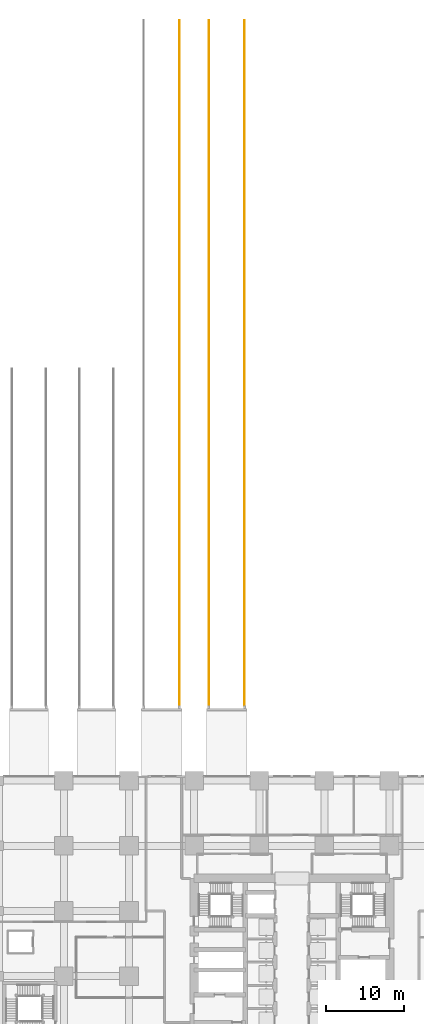
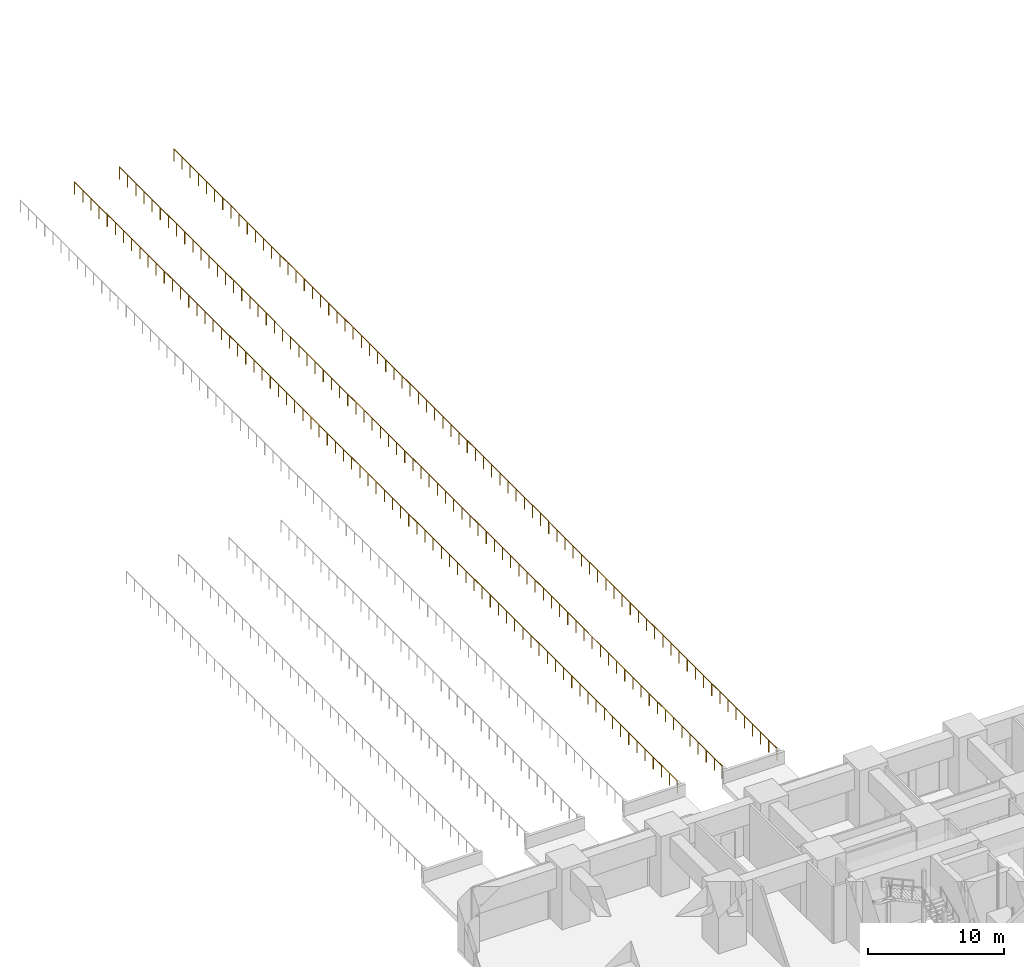
# One storey, part 56 of 81: 3 railings.
"""IFC4 building model written with IfcOpenShell, lengths in metres."""

from ifc_helpers import new_model, si_unit, direction, frame, origin, origin_2d, place, context, subcontext, project, spatial, circle, extrude, material, type_object, element, save


model = new_model("IFC4")

# Units and contexts
model_context = context("Model", 3, precision=1e-05, world=origin(), true_north=direction((0.0, 1.0)))
body_context = subcontext(model_context, "Body", "Model", "MODEL_VIEW")
ifc_project = project(units=[si_unit("LENGTHUNIT", "METRE"), si_unit("AREAUNIT", "SQUARE_METRE"), si_unit("VOLUMEUNIT", "CUBIC_METRE"), si_unit("PLANEANGLEUNIT", "RADIAN"), si_unit("MASSUNIT", "GRAM", prefix="KILO")], contexts=[model_context])

# Site, building, storey
site_placement = place(None, origin())
site = spatial("IfcSite", under=ifc_project, at=site_placement, CompositionType="ELEMENT")
building_placement = place(site_placement, origin())
building = spatial("IfcBuilding", under=site, at=building_placement, Name="Rekha Terrace Tower", CompositionType="ELEMENT")
storey_placement = place(building_placement, origin())
storey = spatial("IfcBuildingStorey", under=building, at=storey_placement, Name="L00", CompositionType="ELEMENT", Elevation=0.0)

# Railings
ifc_material = material(Name="Galvanised steel", Category="steel")
railing_type = type_object("IfcRailingType", Name="GR3 1100 vehicle ramp guard", PredefinedType="GUARDRAIL", material=ifc_material)
railing_1_placement = place(storey_placement, frame((23.300048828125, 68.5, 0.0)))
element("IfcRailing", 1, at=railing_1_placement, inside=storey, type_object=railing_type, Name="Ramp 3 guard E", PredefinedType="GUARDRAIL", context=body_context, shape_type="SweptSolid", body=[
    extrude(circle(Radius=0.02392578125, at=origin_2d()), frame((0.0, 0.0, 1.076171875), z_axis=(0.0, 1.0, 0.0), x_axis=(-1.0, 0.0, 0.0)), (0.0, 0.0, 1.0), 88.39990234375),
    extrude(circle(Radius=0.02099609375, at=origin_2d()), origin(), (0.0, 0.0, 1.0), 1.052001953125),
    extrude(circle(Radius=0.02099609375, at=origin_2d()), frame((0.0, 1.194580078125, 0.0)), (0.0, 0.0, 1.0), 1.052001953125),
    extrude(circle(Radius=0.02099609375, at=origin_2d()), frame((0.0, 2.38916015625, 0.0)), (0.0, 0.0, 1.0), 1.052001953125),
    extrude(circle(Radius=0.02099609375, at=origin_2d()), frame((0.0, 3.583740234375, 0.0)), (0.0, 0.0, 1.0), 1.052001953125),
    extrude(circle(Radius=0.02099609375, at=origin_2d()), frame((0.0, 4.7783203125, 0.0)), (0.0, 0.0, 1.0), 1.052001953125),
    extrude(circle(Radius=0.02099609375, at=origin_2d()), frame((0.0, 5.972900390625, 0.0)), (0.0, 0.0, 1.0), 1.052001953125),
    extrude(circle(Radius=0.02099609375, at=origin_2d()), frame((0.0, 7.16748046875, 0.0)), (0.0, 0.0, 1.0), 1.052001953125),
    extrude(circle(Radius=0.02099609375, at=origin_2d()), frame((0.0, 8.362060546875, 0.0)), (0.0, 0.0, 1.0), 1.052001953125),
    extrude(circle(Radius=0.02099609375, at=origin_2d()), frame((0.0, 9.556640625, 0.0)), (0.0, 0.0, 1.0), 1.052001953125),
    extrude(circle(Radius=0.02099609375, at=origin_2d()), frame((0.0, 10.751220703125, 0.0)), (0.0, 0.0, 1.0), 1.052001953125),
    extrude(circle(Radius=0.02099609375, at=origin_2d()), frame((0.0, 11.946044921875, 0.0)), (0.0, 0.0, 1.0), 1.052001953125),
    extrude(circle(Radius=0.02099609375, at=origin_2d()), frame((0.0, 13.140625, 0.0)), (0.0, 0.0, 1.0), 1.052001953125),
    extrude(circle(Radius=0.02099609375, at=origin_2d()), frame((0.0, 14.335205078125, 0.0)), (0.0, 0.0, 1.0), 1.052001953125),
    extrude(circle(Radius=0.02099609375, at=origin_2d()), frame((0.0, 15.52978515625, 0.0)), (0.0, 0.0, 1.0), 1.052001953125),
    extrude(circle(Radius=0.02099609375, at=origin_2d()), frame((0.0, 16.724365234375, 0.0)), (0.0, 0.0, 1.0), 1.052001953125),
    extrude(circle(Radius=0.02099609375, at=origin_2d()), frame((0.0, 17.9189453125, 0.0)), (0.0, 0.0, 1.0), 1.052001953125),
    extrude(circle(Radius=0.02099609375, at=origin_2d()), frame((0.0, 19.113525390625, 0.0)), (0.0, 0.0, 1.0), 1.052001953125),
    extrude(circle(Radius=0.02099609375, at=origin_2d()), frame((0.0, 20.30810546875, 0.0)), (0.0, 0.0, 1.0), 1.052001953125),
    extrude(circle(Radius=0.02099609375, at=origin_2d()), frame((0.0, 21.502685546875, 0.0)), (0.0, 0.0, 1.0), 1.052001953125),
    extrude(circle(Radius=0.02099609375, at=origin_2d()), frame((0.0, 22.697265625, 0.0)), (0.0, 0.0, 1.0), 1.052001953125),
    extrude(circle(Radius=0.02099609375, at=origin_2d()), frame((0.0, 23.891845703125, 0.0)), (0.0, 0.0, 1.0), 1.052001953125),
    extrude(circle(Radius=0.02099609375, at=origin_2d()), frame((0.0, 25.08642578125, 0.0)), (0.0, 0.0, 1.0), 1.052001953125),
    extrude(circle(Radius=0.02099609375, at=origin_2d()), frame((0.0, 26.281005859375, 0.0)), (0.0, 0.0, 1.0), 1.052001953125),
    extrude(circle(Radius=0.02099609375, at=origin_2d()), frame((0.0, 27.4755859375, 0.0)), (0.0, 0.0, 1.0), 1.052001953125),
    extrude(circle(Radius=0.02099609375, at=origin_2d()), frame((0.0, 28.670166015625, 0.0)), (0.0, 0.0, 1.0), 1.052001953125),
    extrude(circle(Radius=0.02099609375, at=origin_2d()), frame((0.0, 29.86474609375, 0.0)), (0.0, 0.0, 1.0), 1.052001953125),
    extrude(circle(Radius=0.02099609375, at=origin_2d()), frame((0.0, 31.059326171875, 0.0)), (0.0, 0.0, 1.0), 1.052001953125),
    extrude(circle(Radius=0.02099609375, at=origin_2d()), frame((0.0, 32.25390625, 0.0)), (0.0, 0.0, 1.0), 1.052001953125),
    extrude(circle(Radius=0.02099609375, at=origin_2d()), frame((0.0, 33.44873046875, 0.0)), (0.0, 0.0, 1.0), 1.052001953125),
    extrude(circle(Radius=0.02099609375, at=origin_2d()), frame((0.0, 34.643310546875, 0.0)), (0.0, 0.0, 1.0), 1.052001953125),
    extrude(circle(Radius=0.02099609375, at=origin_2d()), frame((0.0, 35.837890625, 0.0)), (0.0, 0.0, 1.0), 1.052001953125),
    extrude(circle(Radius=0.02099609375, at=origin_2d()), frame((0.0, 37.032470703125, 0.0)), (0.0, 0.0, 1.0), 1.052001953125),
    extrude(circle(Radius=0.02099609375, at=origin_2d()), frame((0.0, 38.22705078125, 0.0)), (0.0, 0.0, 1.0), 1.052001953125),
    extrude(circle(Radius=0.02099609375, at=origin_2d()), frame((0.0, 39.421630859375, 0.0)), (0.0, 0.0, 1.0), 1.052001953125),
    extrude(circle(Radius=0.02099609375, at=origin_2d()), frame((0.0, 40.6162109375, 0.0)), (0.0, 0.0, 1.0), 1.052001953125),
    extrude(circle(Radius=0.02099609375, at=origin_2d()), frame((0.0, 41.810791015625, 0.0)), (0.0, 0.0, 1.0), 1.052001953125),
    extrude(circle(Radius=0.02099609375, at=origin_2d()), frame((0.0, 43.00537109375, 0.0)), (0.0, 0.0, 1.0), 1.052001953125),
    extrude(circle(Radius=0.02099609375, at=origin_2d()), frame((0.0, 44.199951171875, 0.0)), (0.0, 0.0, 1.0), 1.052001953125),
    extrude(circle(Radius=0.02099609375, at=origin_2d()), frame((0.0, 45.39453125, 0.0)), (0.0, 0.0, 1.0), 1.052001953125),
    extrude(circle(Radius=0.02099609375, at=origin_2d()), frame((0.0, 46.589111328125, 0.0)), (0.0, 0.0, 1.0), 1.052001953125),
    extrude(circle(Radius=0.02099609375, at=origin_2d()), frame((0.0, 47.78369140625, 0.0)), (0.0, 0.0, 1.0), 1.052001953125),
    extrude(circle(Radius=0.02099609375, at=origin_2d()), frame((0.0, 48.978271484375, 0.0)), (0.0, 0.0, 1.0), 1.052001953125),
    extrude(circle(Radius=0.02099609375, at=origin_2d()), frame((0.0, 50.1728515625, 0.0)), (0.0, 0.0, 1.0), 1.052001953125),
    extrude(circle(Radius=0.02099609375, at=origin_2d()), frame((0.0, 51.367431640625, 0.0)), (0.0, 0.0, 1.0), 1.052001953125),
    extrude(circle(Radius=0.02099609375, at=origin_2d()), frame((0.0, 52.56201171875, 0.0)), (0.0, 0.0, 1.0), 1.052001953125),
    extrude(circle(Radius=0.02099609375, at=origin_2d()), frame((0.0, 53.756591796875, 0.0)), (0.0, 0.0, 1.0), 1.052001953125),
    extrude(circle(Radius=0.02099609375, at=origin_2d()), frame((0.0, 54.951171875, 0.0)), (0.0, 0.0, 1.0), 1.052001953125),
    extrude(circle(Radius=0.02099609375, at=origin_2d()), frame((0.0, 56.14599609375, 0.0)), (0.0, 0.0, 1.0), 1.052001953125),
    extrude(circle(Radius=0.02099609375, at=origin_2d()), frame((0.0, 57.340576171875, 0.0)), (0.0, 0.0, 1.0), 1.052001953125),
    extrude(circle(Radius=0.02099609375, at=origin_2d()), frame((0.0, 58.53515625, 0.0)), (0.0, 0.0, 1.0), 1.052001953125),
    extrude(circle(Radius=0.02099609375, at=origin_2d()), frame((0.0, 59.729736328125, 0.0)), (0.0, 0.0, 1.0), 1.052001953125),
    extrude(circle(Radius=0.02099609375, at=origin_2d()), frame((0.0, 60.92431640625, 0.0)), (0.0, 0.0, 1.0), 1.052001953125),
    extrude(circle(Radius=0.02099609375, at=origin_2d()), frame((0.0, 62.118896484375, 0.0)), (0.0, 0.0, 1.0), 1.052001953125),
    extrude(circle(Radius=0.02099609375, at=origin_2d()), frame((0.0, 63.3134765625, 0.0)), (0.0, 0.0, 1.0), 1.052001953125),
    extrude(circle(Radius=0.02099609375, at=origin_2d()), frame((0.0, 64.508056640625, 0.0)), (0.0, 0.0, 1.0), 1.052001953125),
    extrude(circle(Radius=0.02099609375, at=origin_2d()), frame((0.0, 65.70263671875, 0.0)), (0.0, 0.0, 1.0), 1.052001953125),
    extrude(circle(Radius=0.02099609375, at=origin_2d()), frame((0.0, 66.897216796875, 0.0)), (0.0, 0.0, 1.0), 1.052001953125),
    extrude(circle(Radius=0.02099609375, at=origin_2d()), frame((0.0, 68.091796875, 0.0)), (0.0, 0.0, 1.0), 1.052001953125),
    extrude(circle(Radius=0.02099609375, at=origin_2d()), frame((0.0, 69.286376953125, 0.0)), (0.0, 0.0, 1.0), 1.052001953125),
    extrude(circle(Radius=0.02099609375, at=origin_2d()), frame((0.0, 70.48095703125, 0.0)), (0.0, 0.0, 1.0), 1.052001953125),
    extrude(circle(Radius=0.02099609375, at=origin_2d()), frame((0.0, 71.675537109375, 0.0)), (0.0, 0.0, 1.0), 1.052001953125),
    extrude(circle(Radius=0.02099609375, at=origin_2d()), frame((0.0, 72.8701171875, 0.0)), (0.0, 0.0, 1.0), 1.052001953125),
    extrude(circle(Radius=0.02099609375, at=origin_2d()), frame((0.0, 74.064697265625, 0.0)), (0.0, 0.0, 1.0), 1.052001953125),
    extrude(circle(Radius=0.02099609375, at=origin_2d()), frame((0.0, 75.25927734375, 0.0)), (0.0, 0.0, 1.0), 1.052001953125),
    extrude(circle(Radius=0.02099609375, at=origin_2d()), frame((0.0, 76.453857421875, 0.0)), (0.0, 0.0, 1.0), 1.052001953125),
    extrude(circle(Radius=0.02099609375, at=origin_2d()), frame((0.0, 77.648681640625, 0.0)), (0.0, 0.0, 1.0), 1.052001953125),
    extrude(circle(Radius=0.02099609375, at=origin_2d()), frame((0.0, 78.84326171875, 0.0)), (0.0, 0.0, 1.0), 1.052001953125),
    extrude(circle(Radius=0.02099609375, at=origin_2d()), frame((0.0, 80.037841796875, 0.0)), (0.0, 0.0, 1.0), 1.052001953125),
    extrude(circle(Radius=0.02099609375, at=origin_2d()), frame((0.0, 81.232421875, 0.0)), (0.0, 0.0, 1.0), 1.052001953125),
    extrude(circle(Radius=0.02099609375, at=origin_2d()), frame((0.0, 82.427001953125, 0.0)), (0.0, 0.0, 1.0), 1.052001953125),
    extrude(circle(Radius=0.02099609375, at=origin_2d()), frame((0.0, 83.62158203125, 0.0)), (0.0, 0.0, 1.0), 1.052001953125),
    extrude(circle(Radius=0.02099609375, at=origin_2d()), frame((0.0, 84.816162109375, 0.0)), (0.0, 0.0, 1.0), 1.052001953125),
    extrude(circle(Radius=0.02099609375, at=origin_2d()), frame((0.0, 86.0107421875, 0.0)), (0.0, 0.0, 1.0), 1.052001953125),
    extrude(circle(Radius=0.02099609375, at=origin_2d()), frame((0.0, 87.205322265625, 0.0)), (0.0, 0.0, 1.0), 1.052001953125),
    extrude(circle(Radius=0.02099609375, at=origin_2d()), frame((0.0, 88.39990234375, 0.0)), (0.0, 0.0, 1.0), 1.052001953125),
])
railing_2_placement = place(storey_placement, frame((27.10009765625, 68.5, 0.0)))
element("IfcRailing", 2, at=railing_2_placement, inside=storey, type_object=railing_type, Name="Ramp 4 guard W", PredefinedType="GUARDRAIL", context=body_context, shape_type="SweptSolid", body=[
    extrude(circle(Radius=0.02392578125, at=origin_2d()), frame((0.0, 0.0, 1.076171875), z_axis=(0.0, 1.0, 0.0), x_axis=(-1.0, 0.0, 0.0)), (0.0, 0.0, 1.0), 88.39990234375),
    extrude(circle(Radius=0.02099609375, at=origin_2d()), origin(), (0.0, 0.0, 1.0), 1.052001953125),
    extrude(circle(Radius=0.02099609375, at=origin_2d()), frame((0.0, 1.194580078125, 0.0)), (0.0, 0.0, 1.0), 1.052001953125),
    extrude(circle(Radius=0.02099609375, at=origin_2d()), frame((0.0, 2.38916015625, 0.0)), (0.0, 0.0, 1.0), 1.052001953125),
    extrude(circle(Radius=0.02099609375, at=origin_2d()), frame((0.0, 3.583740234375, 0.0)), (0.0, 0.0, 1.0), 1.052001953125),
    extrude(circle(Radius=0.02099609375, at=origin_2d()), frame((0.0, 4.7783203125, 0.0)), (0.0, 0.0, 1.0), 1.052001953125),
    extrude(circle(Radius=0.02099609375, at=origin_2d()), frame((0.0, 5.972900390625, 0.0)), (0.0, 0.0, 1.0), 1.052001953125),
    extrude(circle(Radius=0.02099609375, at=origin_2d()), frame((0.0, 7.16748046875, 0.0)), (0.0, 0.0, 1.0), 1.052001953125),
    extrude(circle(Radius=0.02099609375, at=origin_2d()), frame((0.0, 8.362060546875, 0.0)), (0.0, 0.0, 1.0), 1.052001953125),
    extrude(circle(Radius=0.02099609375, at=origin_2d()), frame((0.0, 9.556640625, 0.0)), (0.0, 0.0, 1.0), 1.052001953125),
    extrude(circle(Radius=0.02099609375, at=origin_2d()), frame((0.0, 10.751220703125, 0.0)), (0.0, 0.0, 1.0), 1.052001953125),
    extrude(circle(Radius=0.02099609375, at=origin_2d()), frame((0.0, 11.946044921875, 0.0)), (0.0, 0.0, 1.0), 1.052001953125),
    extrude(circle(Radius=0.02099609375, at=origin_2d()), frame((0.0, 13.140625, 0.0)), (0.0, 0.0, 1.0), 1.052001953125),
    extrude(circle(Radius=0.02099609375, at=origin_2d()), frame((0.0, 14.335205078125, 0.0)), (0.0, 0.0, 1.0), 1.052001953125),
    extrude(circle(Radius=0.02099609375, at=origin_2d()), frame((0.0, 15.52978515625, 0.0)), (0.0, 0.0, 1.0), 1.052001953125),
    extrude(circle(Radius=0.02099609375, at=origin_2d()), frame((0.0, 16.724365234375, 0.0)), (0.0, 0.0, 1.0), 1.052001953125),
    extrude(circle(Radius=0.02099609375, at=origin_2d()), frame((0.0, 17.9189453125, 0.0)), (0.0, 0.0, 1.0), 1.052001953125),
    extrude(circle(Radius=0.02099609375, at=origin_2d()), frame((0.0, 19.113525390625, 0.0)), (0.0, 0.0, 1.0), 1.052001953125),
    extrude(circle(Radius=0.02099609375, at=origin_2d()), frame((0.0, 20.30810546875, 0.0)), (0.0, 0.0, 1.0), 1.052001953125),
    extrude(circle(Radius=0.02099609375, at=origin_2d()), frame((0.0, 21.502685546875, 0.0)), (0.0, 0.0, 1.0), 1.052001953125),
    extrude(circle(Radius=0.02099609375, at=origin_2d()), frame((0.0, 22.697265625, 0.0)), (0.0, 0.0, 1.0), 1.052001953125),
    extrude(circle(Radius=0.02099609375, at=origin_2d()), frame((0.0, 23.891845703125, 0.0)), (0.0, 0.0, 1.0), 1.052001953125),
    extrude(circle(Radius=0.02099609375, at=origin_2d()), frame((0.0, 25.08642578125, 0.0)), (0.0, 0.0, 1.0), 1.052001953125),
    extrude(circle(Radius=0.02099609375, at=origin_2d()), frame((0.0, 26.281005859375, 0.0)), (0.0, 0.0, 1.0), 1.052001953125),
    extrude(circle(Radius=0.02099609375, at=origin_2d()), frame((0.0, 27.4755859375, 0.0)), (0.0, 0.0, 1.0), 1.052001953125),
    extrude(circle(Radius=0.02099609375, at=origin_2d()), frame((0.0, 28.670166015625, 0.0)), (0.0, 0.0, 1.0), 1.052001953125),
    extrude(circle(Radius=0.02099609375, at=origin_2d()), frame((0.0, 29.86474609375, 0.0)), (0.0, 0.0, 1.0), 1.052001953125),
    extrude(circle(Radius=0.02099609375, at=origin_2d()), frame((0.0, 31.059326171875, 0.0)), (0.0, 0.0, 1.0), 1.052001953125),
    extrude(circle(Radius=0.02099609375, at=origin_2d()), frame((0.0, 32.25390625, 0.0)), (0.0, 0.0, 1.0), 1.052001953125),
    extrude(circle(Radius=0.02099609375, at=origin_2d()), frame((0.0, 33.44873046875, 0.0)), (0.0, 0.0, 1.0), 1.052001953125),
    extrude(circle(Radius=0.02099609375, at=origin_2d()), frame((0.0, 34.643310546875, 0.0)), (0.0, 0.0, 1.0), 1.052001953125),
    extrude(circle(Radius=0.02099609375, at=origin_2d()), frame((0.0, 35.837890625, 0.0)), (0.0, 0.0, 1.0), 1.052001953125),
    extrude(circle(Radius=0.02099609375, at=origin_2d()), frame((0.0, 37.032470703125, 0.0)), (0.0, 0.0, 1.0), 1.052001953125),
    extrude(circle(Radius=0.02099609375, at=origin_2d()), frame((0.0, 38.22705078125, 0.0)), (0.0, 0.0, 1.0), 1.052001953125),
    extrude(circle(Radius=0.02099609375, at=origin_2d()), frame((0.0, 39.421630859375, 0.0)), (0.0, 0.0, 1.0), 1.052001953125),
    extrude(circle(Radius=0.02099609375, at=origin_2d()), frame((0.0, 40.6162109375, 0.0)), (0.0, 0.0, 1.0), 1.052001953125),
    extrude(circle(Radius=0.02099609375, at=origin_2d()), frame((0.0, 41.810791015625, 0.0)), (0.0, 0.0, 1.0), 1.052001953125),
    extrude(circle(Radius=0.02099609375, at=origin_2d()), frame((0.0, 43.00537109375, 0.0)), (0.0, 0.0, 1.0), 1.052001953125),
    extrude(circle(Radius=0.02099609375, at=origin_2d()), frame((0.0, 44.199951171875, 0.0)), (0.0, 0.0, 1.0), 1.052001953125),
    extrude(circle(Radius=0.02099609375, at=origin_2d()), frame((0.0, 45.39453125, 0.0)), (0.0, 0.0, 1.0), 1.052001953125),
    extrude(circle(Radius=0.02099609375, at=origin_2d()), frame((0.0, 46.589111328125, 0.0)), (0.0, 0.0, 1.0), 1.052001953125),
    extrude(circle(Radius=0.02099609375, at=origin_2d()), frame((0.0, 47.78369140625, 0.0)), (0.0, 0.0, 1.0), 1.052001953125),
    extrude(circle(Radius=0.02099609375, at=origin_2d()), frame((0.0, 48.978271484375, 0.0)), (0.0, 0.0, 1.0), 1.052001953125),
    extrude(circle(Radius=0.02099609375, at=origin_2d()), frame((0.0, 50.1728515625, 0.0)), (0.0, 0.0, 1.0), 1.052001953125),
    extrude(circle(Radius=0.02099609375, at=origin_2d()), frame((0.0, 51.367431640625, 0.0)), (0.0, 0.0, 1.0), 1.052001953125),
    extrude(circle(Radius=0.02099609375, at=origin_2d()), frame((0.0, 52.56201171875, 0.0)), (0.0, 0.0, 1.0), 1.052001953125),
    extrude(circle(Radius=0.02099609375, at=origin_2d()), frame((0.0, 53.756591796875, 0.0)), (0.0, 0.0, 1.0), 1.052001953125),
    extrude(circle(Radius=0.02099609375, at=origin_2d()), frame((0.0, 54.951171875, 0.0)), (0.0, 0.0, 1.0), 1.052001953125),
    extrude(circle(Radius=0.02099609375, at=origin_2d()), frame((0.0, 56.14599609375, 0.0)), (0.0, 0.0, 1.0), 1.052001953125),
    extrude(circle(Radius=0.02099609375, at=origin_2d()), frame((0.0, 57.340576171875, 0.0)), (0.0, 0.0, 1.0), 1.052001953125),
    extrude(circle(Radius=0.02099609375, at=origin_2d()), frame((0.0, 58.53515625, 0.0)), (0.0, 0.0, 1.0), 1.052001953125),
    extrude(circle(Radius=0.02099609375, at=origin_2d()), frame((0.0, 59.729736328125, 0.0)), (0.0, 0.0, 1.0), 1.052001953125),
    extrude(circle(Radius=0.02099609375, at=origin_2d()), frame((0.0, 60.92431640625, 0.0)), (0.0, 0.0, 1.0), 1.052001953125),
    extrude(circle(Radius=0.02099609375, at=origin_2d()), frame((0.0, 62.118896484375, 0.0)), (0.0, 0.0, 1.0), 1.052001953125),
    extrude(circle(Radius=0.02099609375, at=origin_2d()), frame((0.0, 63.3134765625, 0.0)), (0.0, 0.0, 1.0), 1.052001953125),
    extrude(circle(Radius=0.02099609375, at=origin_2d()), frame((0.0, 64.508056640625, 0.0)), (0.0, 0.0, 1.0), 1.052001953125),
    extrude(circle(Radius=0.02099609375, at=origin_2d()), frame((0.0, 65.70263671875, 0.0)), (0.0, 0.0, 1.0), 1.052001953125),
    extrude(circle(Radius=0.02099609375, at=origin_2d()), frame((0.0, 66.897216796875, 0.0)), (0.0, 0.0, 1.0), 1.052001953125),
    extrude(circle(Radius=0.02099609375, at=origin_2d()), frame((0.0, 68.091796875, 0.0)), (0.0, 0.0, 1.0), 1.052001953125),
    extrude(circle(Radius=0.02099609375, at=origin_2d()), frame((0.0, 69.286376953125, 0.0)), (0.0, 0.0, 1.0), 1.052001953125),
    extrude(circle(Radius=0.02099609375, at=origin_2d()), frame((0.0, 70.48095703125, 0.0)), (0.0, 0.0, 1.0), 1.052001953125),
    extrude(circle(Radius=0.02099609375, at=origin_2d()), frame((0.0, 71.675537109375, 0.0)), (0.0, 0.0, 1.0), 1.052001953125),
    extrude(circle(Radius=0.02099609375, at=origin_2d()), frame((0.0, 72.8701171875, 0.0)), (0.0, 0.0, 1.0), 1.052001953125),
    extrude(circle(Radius=0.02099609375, at=origin_2d()), frame((0.0, 74.064697265625, 0.0)), (0.0, 0.0, 1.0), 1.052001953125),
    extrude(circle(Radius=0.02099609375, at=origin_2d()), frame((0.0, 75.25927734375, 0.0)), (0.0, 0.0, 1.0), 1.052001953125),
    extrude(circle(Radius=0.02099609375, at=origin_2d()), frame((0.0, 76.453857421875, 0.0)), (0.0, 0.0, 1.0), 1.052001953125),
    extrude(circle(Radius=0.02099609375, at=origin_2d()), frame((0.0, 77.648681640625, 0.0)), (0.0, 0.0, 1.0), 1.052001953125),
    extrude(circle(Radius=0.02099609375, at=origin_2d()), frame((0.0, 78.84326171875, 0.0)), (0.0, 0.0, 1.0), 1.052001953125),
    extrude(circle(Radius=0.02099609375, at=origin_2d()), frame((0.0, 80.037841796875, 0.0)), (0.0, 0.0, 1.0), 1.052001953125),
    extrude(circle(Radius=0.02099609375, at=origin_2d()), frame((0.0, 81.232421875, 0.0)), (0.0, 0.0, 1.0), 1.052001953125),
    extrude(circle(Radius=0.02099609375, at=origin_2d()), frame((0.0, 82.427001953125, 0.0)), (0.0, 0.0, 1.0), 1.052001953125),
    extrude(circle(Radius=0.02099609375, at=origin_2d()), frame((0.0, 83.62158203125, 0.0)), (0.0, 0.0, 1.0), 1.052001953125),
    extrude(circle(Radius=0.02099609375, at=origin_2d()), frame((0.0, 84.816162109375, 0.0)), (0.0, 0.0, 1.0), 1.052001953125),
    extrude(circle(Radius=0.02099609375, at=origin_2d()), frame((0.0, 86.0107421875, 0.0)), (0.0, 0.0, 1.0), 1.052001953125),
    extrude(circle(Radius=0.02099609375, at=origin_2d()), frame((0.0, 87.205322265625, 0.0)), (0.0, 0.0, 1.0), 1.052001953125),
    extrude(circle(Radius=0.02099609375, at=origin_2d()), frame((0.0, 88.39990234375, 0.0)), (0.0, 0.0, 1.0), 1.052001953125),
])
railing_3_placement = place(storey_placement, frame((31.699951171875, 68.5, 0.0)))
element("IfcRailing", 3, at=railing_3_placement, inside=storey, type_object=railing_type, Name="Ramp 4 guard E", PredefinedType="GUARDRAIL", context=body_context, shape_type="SweptSolid", body=[
    extrude(circle(Radius=0.02392578125, at=origin_2d()), frame((0.0, 0.0, 1.076171875), z_axis=(0.0, 1.0, 0.0), x_axis=(-1.0, 0.0, 0.0)), (0.0, 0.0, 1.0), 88.39990234375),
    extrude(circle(Radius=0.02099609375, at=origin_2d()), origin(), (0.0, 0.0, 1.0), 1.052001953125),
    extrude(circle(Radius=0.02099609375, at=origin_2d()), frame((0.0, 1.194580078125, 0.0)), (0.0, 0.0, 1.0), 1.052001953125),
    extrude(circle(Radius=0.02099609375, at=origin_2d()), frame((0.0, 2.38916015625, 0.0)), (0.0, 0.0, 1.0), 1.052001953125),
    extrude(circle(Radius=0.02099609375, at=origin_2d()), frame((0.0, 3.583740234375, 0.0)), (0.0, 0.0, 1.0), 1.052001953125),
    extrude(circle(Radius=0.02099609375, at=origin_2d()), frame((0.0, 4.7783203125, 0.0)), (0.0, 0.0, 1.0), 1.052001953125),
    extrude(circle(Radius=0.02099609375, at=origin_2d()), frame((0.0, 5.972900390625, 0.0)), (0.0, 0.0, 1.0), 1.052001953125),
    extrude(circle(Radius=0.02099609375, at=origin_2d()), frame((0.0, 7.16748046875, 0.0)), (0.0, 0.0, 1.0), 1.052001953125),
    extrude(circle(Radius=0.02099609375, at=origin_2d()), frame((0.0, 8.362060546875, 0.0)), (0.0, 0.0, 1.0), 1.052001953125),
    extrude(circle(Radius=0.02099609375, at=origin_2d()), frame((0.0, 9.556640625, 0.0)), (0.0, 0.0, 1.0), 1.052001953125),
    extrude(circle(Radius=0.02099609375, at=origin_2d()), frame((0.0, 10.751220703125, 0.0)), (0.0, 0.0, 1.0), 1.052001953125),
    extrude(circle(Radius=0.02099609375, at=origin_2d()), frame((0.0, 11.946044921875, 0.0)), (0.0, 0.0, 1.0), 1.052001953125),
    extrude(circle(Radius=0.02099609375, at=origin_2d()), frame((0.0, 13.140625, 0.0)), (0.0, 0.0, 1.0), 1.052001953125),
    extrude(circle(Radius=0.02099609375, at=origin_2d()), frame((0.0, 14.335205078125, 0.0)), (0.0, 0.0, 1.0), 1.052001953125),
    extrude(circle(Radius=0.02099609375, at=origin_2d()), frame((0.0, 15.52978515625, 0.0)), (0.0, 0.0, 1.0), 1.052001953125),
    extrude(circle(Radius=0.02099609375, at=origin_2d()), frame((0.0, 16.724365234375, 0.0)), (0.0, 0.0, 1.0), 1.052001953125),
    extrude(circle(Radius=0.02099609375, at=origin_2d()), frame((0.0, 17.9189453125, 0.0)), (0.0, 0.0, 1.0), 1.052001953125),
    extrude(circle(Radius=0.02099609375, at=origin_2d()), frame((0.0, 19.113525390625, 0.0)), (0.0, 0.0, 1.0), 1.052001953125),
    extrude(circle(Radius=0.02099609375, at=origin_2d()), frame((0.0, 20.30810546875, 0.0)), (0.0, 0.0, 1.0), 1.052001953125),
    extrude(circle(Radius=0.02099609375, at=origin_2d()), frame((0.0, 21.502685546875, 0.0)), (0.0, 0.0, 1.0), 1.052001953125),
    extrude(circle(Radius=0.02099609375, at=origin_2d()), frame((0.0, 22.697265625, 0.0)), (0.0, 0.0, 1.0), 1.052001953125),
    extrude(circle(Radius=0.02099609375, at=origin_2d()), frame((0.0, 23.891845703125, 0.0)), (0.0, 0.0, 1.0), 1.052001953125),
    extrude(circle(Radius=0.02099609375, at=origin_2d()), frame((0.0, 25.08642578125, 0.0)), (0.0, 0.0, 1.0), 1.052001953125),
    extrude(circle(Radius=0.02099609375, at=origin_2d()), frame((0.0, 26.281005859375, 0.0)), (0.0, 0.0, 1.0), 1.052001953125),
    extrude(circle(Radius=0.02099609375, at=origin_2d()), frame((0.0, 27.4755859375, 0.0)), (0.0, 0.0, 1.0), 1.052001953125),
    extrude(circle(Radius=0.02099609375, at=origin_2d()), frame((0.0, 28.670166015625, 0.0)), (0.0, 0.0, 1.0), 1.052001953125),
    extrude(circle(Radius=0.02099609375, at=origin_2d()), frame((0.0, 29.86474609375, 0.0)), (0.0, 0.0, 1.0), 1.052001953125),
    extrude(circle(Radius=0.02099609375, at=origin_2d()), frame((0.0, 31.059326171875, 0.0)), (0.0, 0.0, 1.0), 1.052001953125),
    extrude(circle(Radius=0.02099609375, at=origin_2d()), frame((0.0, 32.25390625, 0.0)), (0.0, 0.0, 1.0), 1.052001953125),
    extrude(circle(Radius=0.02099609375, at=origin_2d()), frame((0.0, 33.44873046875, 0.0)), (0.0, 0.0, 1.0), 1.052001953125),
    extrude(circle(Radius=0.02099609375, at=origin_2d()), frame((0.0, 34.643310546875, 0.0)), (0.0, 0.0, 1.0), 1.052001953125),
    extrude(circle(Radius=0.02099609375, at=origin_2d()), frame((0.0, 35.837890625, 0.0)), (0.0, 0.0, 1.0), 1.052001953125),
    extrude(circle(Radius=0.02099609375, at=origin_2d()), frame((0.0, 37.032470703125, 0.0)), (0.0, 0.0, 1.0), 1.052001953125),
    extrude(circle(Radius=0.02099609375, at=origin_2d()), frame((0.0, 38.22705078125, 0.0)), (0.0, 0.0, 1.0), 1.052001953125),
    extrude(circle(Radius=0.02099609375, at=origin_2d()), frame((0.0, 39.421630859375, 0.0)), (0.0, 0.0, 1.0), 1.052001953125),
    extrude(circle(Radius=0.02099609375, at=origin_2d()), frame((0.0, 40.6162109375, 0.0)), (0.0, 0.0, 1.0), 1.052001953125),
    extrude(circle(Radius=0.02099609375, at=origin_2d()), frame((0.0, 41.810791015625, 0.0)), (0.0, 0.0, 1.0), 1.052001953125),
    extrude(circle(Radius=0.02099609375, at=origin_2d()), frame((0.0, 43.00537109375, 0.0)), (0.0, 0.0, 1.0), 1.052001953125),
    extrude(circle(Radius=0.02099609375, at=origin_2d()), frame((0.0, 44.199951171875, 0.0)), (0.0, 0.0, 1.0), 1.052001953125),
    extrude(circle(Radius=0.02099609375, at=origin_2d()), frame((0.0, 45.39453125, 0.0)), (0.0, 0.0, 1.0), 1.052001953125),
    extrude(circle(Radius=0.02099609375, at=origin_2d()), frame((0.0, 46.589111328125, 0.0)), (0.0, 0.0, 1.0), 1.052001953125),
    extrude(circle(Radius=0.02099609375, at=origin_2d()), frame((0.0, 47.78369140625, 0.0)), (0.0, 0.0, 1.0), 1.052001953125),
    extrude(circle(Radius=0.02099609375, at=origin_2d()), frame((0.0, 48.978271484375, 0.0)), (0.0, 0.0, 1.0), 1.052001953125),
    extrude(circle(Radius=0.02099609375, at=origin_2d()), frame((0.0, 50.1728515625, 0.0)), (0.0, 0.0, 1.0), 1.052001953125),
    extrude(circle(Radius=0.02099609375, at=origin_2d()), frame((0.0, 51.367431640625, 0.0)), (0.0, 0.0, 1.0), 1.052001953125),
    extrude(circle(Radius=0.02099609375, at=origin_2d()), frame((0.0, 52.56201171875, 0.0)), (0.0, 0.0, 1.0), 1.052001953125),
    extrude(circle(Radius=0.02099609375, at=origin_2d()), frame((0.0, 53.756591796875, 0.0)), (0.0, 0.0, 1.0), 1.052001953125),
    extrude(circle(Radius=0.02099609375, at=origin_2d()), frame((0.0, 54.951171875, 0.0)), (0.0, 0.0, 1.0), 1.052001953125),
    extrude(circle(Radius=0.02099609375, at=origin_2d()), frame((0.0, 56.14599609375, 0.0)), (0.0, 0.0, 1.0), 1.052001953125),
    extrude(circle(Radius=0.02099609375, at=origin_2d()), frame((0.0, 57.340576171875, 0.0)), (0.0, 0.0, 1.0), 1.052001953125),
    extrude(circle(Radius=0.02099609375, at=origin_2d()), frame((0.0, 58.53515625, 0.0)), (0.0, 0.0, 1.0), 1.052001953125),
    extrude(circle(Radius=0.02099609375, at=origin_2d()), frame((0.0, 59.729736328125, 0.0)), (0.0, 0.0, 1.0), 1.052001953125),
    extrude(circle(Radius=0.02099609375, at=origin_2d()), frame((0.0, 60.92431640625, 0.0)), (0.0, 0.0, 1.0), 1.052001953125),
    extrude(circle(Radius=0.02099609375, at=origin_2d()), frame((0.0, 62.118896484375, 0.0)), (0.0, 0.0, 1.0), 1.052001953125),
    extrude(circle(Radius=0.02099609375, at=origin_2d()), frame((0.0, 63.3134765625, 0.0)), (0.0, 0.0, 1.0), 1.052001953125),
    extrude(circle(Radius=0.02099609375, at=origin_2d()), frame((0.0, 64.508056640625, 0.0)), (0.0, 0.0, 1.0), 1.052001953125),
    extrude(circle(Radius=0.02099609375, at=origin_2d()), frame((0.0, 65.70263671875, 0.0)), (0.0, 0.0, 1.0), 1.052001953125),
    extrude(circle(Radius=0.02099609375, at=origin_2d()), frame((0.0, 66.897216796875, 0.0)), (0.0, 0.0, 1.0), 1.052001953125),
    extrude(circle(Radius=0.02099609375, at=origin_2d()), frame((0.0, 68.091796875, 0.0)), (0.0, 0.0, 1.0), 1.052001953125),
    extrude(circle(Radius=0.02099609375, at=origin_2d()), frame((0.0, 69.286376953125, 0.0)), (0.0, 0.0, 1.0), 1.052001953125),
    extrude(circle(Radius=0.02099609375, at=origin_2d()), frame((0.0, 70.48095703125, 0.0)), (0.0, 0.0, 1.0), 1.052001953125),
    extrude(circle(Radius=0.02099609375, at=origin_2d()), frame((0.0, 71.675537109375, 0.0)), (0.0, 0.0, 1.0), 1.052001953125),
    extrude(circle(Radius=0.02099609375, at=origin_2d()), frame((0.0, 72.8701171875, 0.0)), (0.0, 0.0, 1.0), 1.052001953125),
    extrude(circle(Radius=0.02099609375, at=origin_2d()), frame((0.0, 74.064697265625, 0.0)), (0.0, 0.0, 1.0), 1.052001953125),
    extrude(circle(Radius=0.02099609375, at=origin_2d()), frame((0.0, 75.25927734375, 0.0)), (0.0, 0.0, 1.0), 1.052001953125),
    extrude(circle(Radius=0.02099609375, at=origin_2d()), frame((0.0, 76.453857421875, 0.0)), (0.0, 0.0, 1.0), 1.052001953125),
    extrude(circle(Radius=0.02099609375, at=origin_2d()), frame((0.0, 77.648681640625, 0.0)), (0.0, 0.0, 1.0), 1.052001953125),
    extrude(circle(Radius=0.02099609375, at=origin_2d()), frame((0.0, 78.84326171875, 0.0)), (0.0, 0.0, 1.0), 1.052001953125),
    extrude(circle(Radius=0.02099609375, at=origin_2d()), frame((0.0, 80.037841796875, 0.0)), (0.0, 0.0, 1.0), 1.052001953125),
    extrude(circle(Radius=0.02099609375, at=origin_2d()), frame((0.0, 81.232421875, 0.0)), (0.0, 0.0, 1.0), 1.052001953125),
    extrude(circle(Radius=0.02099609375, at=origin_2d()), frame((0.0, 82.427001953125, 0.0)), (0.0, 0.0, 1.0), 1.052001953125),
    extrude(circle(Radius=0.02099609375, at=origin_2d()), frame((0.0, 83.62158203125, 0.0)), (0.0, 0.0, 1.0), 1.052001953125),
    extrude(circle(Radius=0.02099609375, at=origin_2d()), frame((0.0, 84.816162109375, 0.0)), (0.0, 0.0, 1.0), 1.052001953125),
    extrude(circle(Radius=0.02099609375, at=origin_2d()), frame((0.0, 86.0107421875, 0.0)), (0.0, 0.0, 1.0), 1.052001953125),
    extrude(circle(Radius=0.02099609375, at=origin_2d()), frame((0.0, 87.205322265625, 0.0)), (0.0, 0.0, 1.0), 1.052001953125),
    extrude(circle(Radius=0.02099609375, at=origin_2d()), frame((0.0, 88.39990234375, 0.0)), (0.0, 0.0, 1.0), 1.052001953125),
])

save(model, "model.ifc")
